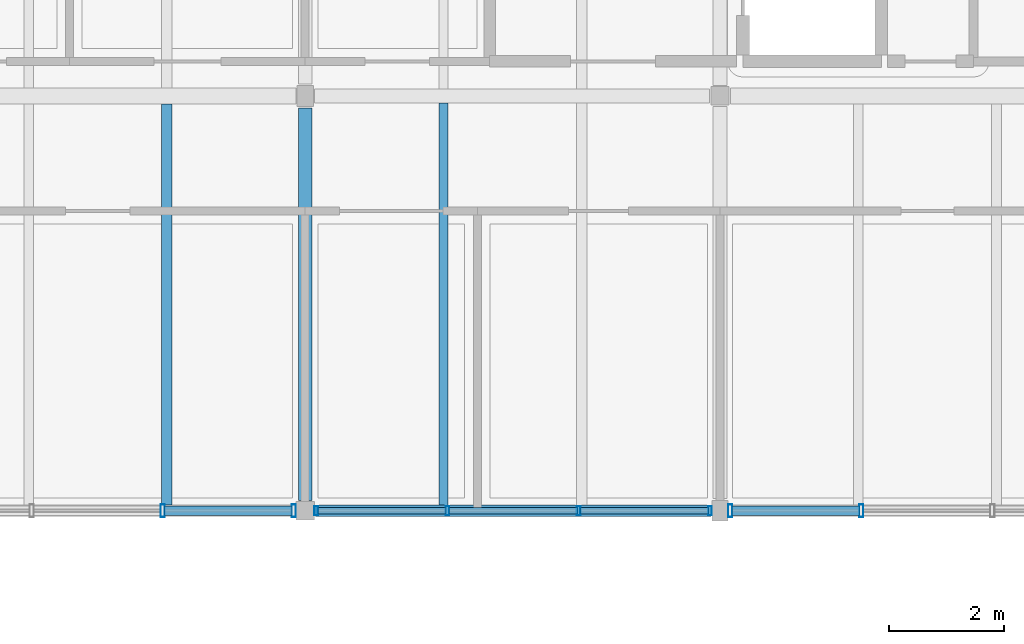
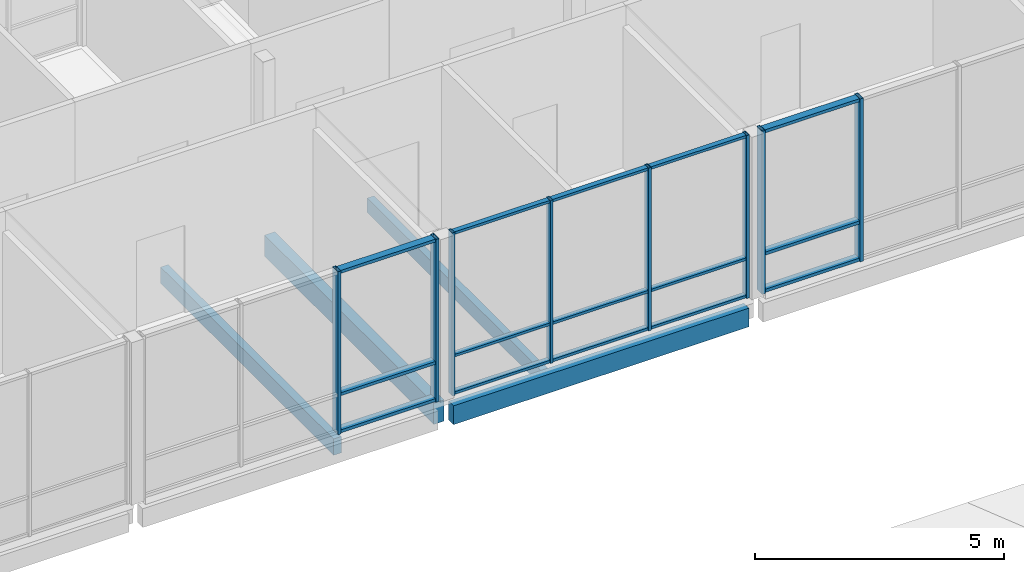
# One storey, part 24 of 115: 23 members, 4 beams, 3 elements without a shape of their own.
"""IFC4 building model written with IfcOpenShell, lengths in metres."""

from ifc_helpers import new_model, si_unit, direction, frame, origin, origin_2d, place, context, subcontext, project, spatial, rectangle, hollow_rectangle, extrude, material, material_profile, profile_set, type_object, element, aggregate, save


model = new_model("IFC4")

# Units and contexts
model_context = context("Model", 3, precision=1e-05, world=origin(), true_north=direction((0.0, 1.0)))
body_context = subcontext(model_context, "Body", "Model", "MODEL_VIEW")
ifc_project = project(units=[si_unit("LENGTHUNIT", "METRE"), si_unit("AREAUNIT", "SQUARE_METRE"), si_unit("VOLUMEUNIT", "CUBIC_METRE"), si_unit("PLANEANGLEUNIT", "RADIAN"), si_unit("MASSUNIT", "GRAM", prefix="KILO")], contexts=[model_context])

# Site, building, storey
site_placement = place(None, origin())
site = spatial("IfcSite", under=ifc_project, at=site_placement, CompositionType="ELEMENT")
building_placement = place(site_placement, origin())
building = spatial("IfcBuilding", under=site, at=building_placement, Name="Hawrajan Terrace Health Centre", CompositionType="ELEMENT")
storey_placement = place(building_placement, frame((0.0, 0.0, 9.0)))
storey = spatial("IfcBuildingStorey", under=building, at=storey_placement, Name="L02", CompositionType="ELEMENT", Elevation=9.0)

# Curtain wall, members
ifc_material_1 = material(Name="Anodized bronze aluminium and low-E solar glazing", Category="aluminium")
curtain_wall_type_1 = type_object("IfcCurtainWallType", Name="CW_CourtNS_SeriesC3", PredefinedType="USERDEFINED", material=ifc_material_1)
curtain_wall_1_placement = place(storey_placement, origin())
curtain_wall_1 = element("IfcCurtainWall", 1, at=curtain_wall_1_placement, inside=storey, type_object=curtain_wall_type_1, Name="Curtain wall CW-L02-129", ObjectType="UNITISED CURTAIN WALL", PredefinedType="USERDEFINED")
ifc_material_2 = material(Name="Anodized bronze aluminium 6063-T6", Category="aluminium")
ifc_material_profile_1 = material_profile(ifc_material_2, hollow_rectangle(XDim=0.06494140625, YDim=0.159912109375, WallThickness=0.00390625, at=origin_2d()), Name="CW MUL 65x160")
ifc_profile_set_1 = profile_set([ifc_material_profile_1], Name="Anodized bronze aluminium 6063-T6")
member_type_1 = type_object("IfcMemberType", Name="CWMullion_65x160", PredefinedType="MULLION", material=ifc_profile_set_1)
member_1_placement = place(storey_placement, frame((40.79248046875, 45.39990234375, -0.0048828125), z_axis=(0.0, 0.0, 1.0), x_axis=(1.0, 0.0, 0.0)))
member_1 = element("IfcMember", 2, at=member_1_placement, type_object=member_type_1, Name="Mullion CW-L02-129-M1", PredefinedType="MULLION", context=body_context, shape_type="SweptSolid", body=[
    extrude(hollow_rectangle(XDim=0.06494140625, YDim=0.159912109375, WallThickness=0.00390625, at=origin_2d()), origin(), (0.0, 0.0, 1.0), 4.0),
])
member_2_placement = place(storey_placement, frame((43.07080078125, 45.39990234375, -0.0048828125), z_axis=(0.0, 0.0, 1.0), x_axis=(1.0, 0.0, 0.0)))
member_2 = element("IfcMember", 3, at=member_2_placement, type_object=member_type_1, Name="Mullion CW-L02-129-M2", PredefinedType="MULLION", context=body_context, shape_type="SweptSolid", body=[
    extrude(hollow_rectangle(XDim=0.06494140625, YDim=0.159912109375, WallThickness=0.00390625, at=origin_2d()), origin(), (0.0, 0.0, 1.0), 4.0),
])
member_3_placement = place(storey_placement, frame((45.34912109375, 45.39990234375, -0.0048828125), z_axis=(0.0, 0.0, 1.0), x_axis=(1.0, 0.0, 0.0)))
member_3 = element("IfcMember", 4, at=member_3_placement, type_object=member_type_1, Name="Mullion CW-L02-129-M3", PredefinedType="MULLION", context=body_context, shape_type="SweptSolid", body=[
    extrude(hollow_rectangle(XDim=0.06494140625, YDim=0.159912109375, WallThickness=0.00390625, at=origin_2d()), origin(), (0.0, 0.0, 1.0), 4.0),
])
member_4_placement = place(storey_placement, frame((47.62744140625, 45.39990234375, -0.0048828125), z_axis=(0.0, 0.0, 1.0), x_axis=(1.0, 0.0, 0.0)))
member_4 = element("IfcMember", 5, at=member_4_placement, type_object=member_type_1, Name="Mullion CW-L02-129-M4", PredefinedType="MULLION", context=body_context, shape_type="SweptSolid", body=[
    extrude(hollow_rectangle(XDim=0.06494140625, YDim=0.159912109375, WallThickness=0.00390625, at=origin_2d()), origin(), (0.0, 0.0, 1.0), 4.0),
])

curtain_wall_type_2 = type_object("IfcCurtainWallType", Name="CW_Court_SeriesB2", PredefinedType="USERDEFINED", material=ifc_material_1)
curtain_wall_2_placement = place(storey_placement, origin())
curtain_wall_2 = element("IfcCurtainWall", 6, at=curtain_wall_2_placement, inside=storey, type_object=curtain_wall_type_2, Name="Curtain wall CW-L02-125", ObjectType="UNITISED CURTAIN WALL", PredefinedType="USERDEFINED")
ifc_material_profile_2 = material_profile(ifc_material_2, hollow_rectangle(XDim=0.074951171875, YDim=0.219970703125, WallThickness=0.0048828125, at=origin_2d()), Name="CW MUL 75x220")
ifc_profile_set_2 = profile_set([ifc_material_profile_2], Name="Anodized bronze aluminium 6063-T6")
member_type_2 = type_object("IfcMemberType", Name="CWMullion_75x220", PredefinedType="MULLION", material=ifc_profile_set_2)
member_5_placement = place(storey_placement, frame((38.12744140625, 45.39990234375, -0.0048828125), z_axis=(0.0, 0.0, 1.0), x_axis=(1.0, 0.0, 0.0)))
member_5 = element("IfcMember", 7, at=member_5_placement, type_object=member_type_2, Name="Mullion CW-L02-125-M3", PredefinedType="MULLION", context=body_context, shape_type="SweptSolid", body=[
    extrude(hollow_rectangle(XDim=0.074951171875, YDim=0.219970703125, WallThickness=0.0048828125, at=origin_2d()), origin(), (0.0, 0.0, 1.0), 4.0),
])
member_6_placement = place(storey_placement, frame((40.402587890625, 45.39990234375, -0.0048828125), z_axis=(0.0, 0.0, 1.0), x_axis=(1.0, 0.0, 0.0)))
member_6 = element("IfcMember", 8, at=member_6_placement, type_object=member_type_2, Name="Mullion CW-L02-125-M4", PredefinedType="MULLION", context=body_context, shape_type="SweptSolid", body=[
    extrude(hollow_rectangle(XDim=0.074951171875, YDim=0.219970703125, WallThickness=0.0048828125, at=origin_2d()), origin(), (0.0, 0.0, 1.0), 4.0),
])

curtain_wall_type_3 = type_object("IfcCurtainWallType", Name="CW_Hall_SeriesD2", PredefinedType="USERDEFINED", material=ifc_material_1)
curtain_wall_3_placement = place(storey_placement, origin())
curtain_wall_3 = element("IfcCurtainWall", 9, at=curtain_wall_3_placement, inside=storey, type_object=curtain_wall_type_3, Name="Curtain wall CW-L02-131", ObjectType="UNITISED CURTAIN WALL", PredefinedType="USERDEFINED")
member_7_placement = place(storey_placement, frame((47.9775390625, 45.39990234375, -0.0048828125), z_axis=(0.0, 0.0, 1.0), x_axis=(1.0, 0.0, 0.0)))
member_7 = element("IfcMember", 10, at=member_7_placement, type_object=member_type_2, Name="Mullion CW-L02-131-M1", PredefinedType="MULLION", context=body_context, shape_type="SweptSolid", body=[
    extrude(hollow_rectangle(XDim=0.074951171875, YDim=0.219970703125, WallThickness=0.0048828125, at=origin_2d()), origin(), (0.0, 0.0, 1.0), 4.0),
])
member_8_placement = place(storey_placement, frame((50.25244140625, 45.39990234375, -0.0048828125), z_axis=(0.0, 0.0, 1.0), x_axis=(1.0, 0.0, 0.0)))
member_8 = element("IfcMember", 11, at=member_8_placement, type_object=member_type_2, Name="Mullion CW-L02-131-M2", PredefinedType="MULLION", context=body_context, shape_type="SweptSolid", body=[
    extrude(hollow_rectangle(XDim=0.074951171875, YDim=0.219970703125, WallThickness=0.0048828125, at=origin_2d()), origin(), (0.0, 0.0, 1.0), 4.0),
])

# Member
ifc_material_profile_3 = material_profile(ifc_material_2, hollow_rectangle(XDim=0.06494140625, YDim=0.1201171875, WallThickness=0.00341796875, at=origin_2d()), Name="CW TRN 65x120")
ifc_profile_set_3 = profile_set([ifc_material_profile_3], Name="Anodized bronze aluminium 6063-T6")
member_type_3 = type_object("IfcMemberType", Name="CWTransom_65x120", PredefinedType="USERDEFINED", material=ifc_profile_set_3)
member_9_placement = place(storey_placement, frame((40.819091796875, 45.39990234375, 0.032470703125), z_axis=(1.0, 0.0, 0.0), x_axis=(0.0, 0.0, 1.0)))
member_9 = element("IfcMember", 12, at=member_9_placement, type_object=member_type_3, Name="Transom CW-L02-129-T1-1", ObjectType="TRANSOM", PredefinedType="USERDEFINED", context=body_context, shape_type="SweptSolid", body=[
    extrude(hollow_rectangle(XDim=0.06494140625, YDim=0.1201171875, WallThickness=0.00341796875, at=origin_2d()), origin(), (0.0, 0.0, 1.0), 2.22509765625),
])

member_10_placement = place(storey_placement, frame((40.819091796875, 45.39990234375, 0.949951171875), z_axis=(1.0, 0.0, 0.0), x_axis=(0.0, 0.0, 1.0)))
member_10 = element("IfcMember", 13, at=member_10_placement, type_object=member_type_3, Name="Transom CW-L02-129-T1-2", ObjectType="TRANSOM", PredefinedType="USERDEFINED", context=body_context, shape_type="SweptSolid", body=[
    extrude(hollow_rectangle(XDim=0.06494140625, YDim=0.1201171875, WallThickness=0.00341796875, at=origin_2d()), origin(), (0.0, 0.0, 1.0), 2.22509765625),
])

member_11_placement = place(storey_placement, frame((40.819091796875, 45.39990234375, 3.95751953125), z_axis=(1.0, 0.0, 0.0), x_axis=(0.0, 0.0, 1.0)))
member_11 = element("IfcMember", 14, at=member_11_placement, type_object=member_type_3, Name="Transom CW-L02-129-T1-3", ObjectType="TRANSOM", PredefinedType="USERDEFINED", context=body_context, shape_type="SweptSolid", body=[
    extrude(hollow_rectangle(XDim=0.06494140625, YDim=0.1201171875, WallThickness=0.00341796875, at=origin_2d()), origin(), (0.0, 0.0, 1.0), 2.22509765625),
])

member_12_placement = place(storey_placement, frame((43.097412109375, 45.39990234375, 0.032470703125), z_axis=(1.0, 0.0, 0.0), x_axis=(0.0, 0.0, 1.0)))
member_12 = element("IfcMember", 15, at=member_12_placement, type_object=member_type_3, Name="Transom CW-L02-129-T2-1", ObjectType="TRANSOM", PredefinedType="USERDEFINED", context=body_context, shape_type="SweptSolid", body=[
    extrude(hollow_rectangle(XDim=0.06494140625, YDim=0.1201171875, WallThickness=0.00341796875, at=origin_2d()), origin(), (0.0, 0.0, 1.0), 2.225341796875),
])

member_13_placement = place(storey_placement, frame((43.097412109375, 45.39990234375, 0.949951171875), z_axis=(1.0, 0.0, 0.0), x_axis=(0.0, 0.0, 1.0)))
member_13 = element("IfcMember", 16, at=member_13_placement, type_object=member_type_3, Name="Transom CW-L02-129-T2-2", ObjectType="TRANSOM", PredefinedType="USERDEFINED", context=body_context, shape_type="SweptSolid", body=[
    extrude(hollow_rectangle(XDim=0.06494140625, YDim=0.1201171875, WallThickness=0.00341796875, at=origin_2d()), origin(), (0.0, 0.0, 1.0), 2.225341796875),
])

member_14_placement = place(storey_placement, frame((43.097412109375, 45.39990234375, 3.95751953125), z_axis=(1.0, 0.0, 0.0), x_axis=(0.0, 0.0, 1.0)))
member_14 = element("IfcMember", 17, at=member_14_placement, type_object=member_type_3, Name="Transom CW-L02-129-T2-3", ObjectType="TRANSOM", PredefinedType="USERDEFINED", context=body_context, shape_type="SweptSolid", body=[
    extrude(hollow_rectangle(XDim=0.06494140625, YDim=0.1201171875, WallThickness=0.00341796875, at=origin_2d()), origin(), (0.0, 0.0, 1.0), 2.225341796875),
])

member_15_placement = place(storey_placement, frame((45.375732421875, 45.39990234375, 0.032470703125), z_axis=(1.0, 0.0, 0.0), x_axis=(0.0, 0.0, 1.0)))
member_15 = element("IfcMember", 18, at=member_15_placement, type_object=member_type_3, Name="Transom CW-L02-129-T3-1", ObjectType="TRANSOM", PredefinedType="USERDEFINED", context=body_context, shape_type="SweptSolid", body=[
    extrude(hollow_rectangle(XDim=0.06494140625, YDim=0.1201171875, WallThickness=0.00341796875, at=origin_2d()), origin(), (0.0, 0.0, 1.0), 2.225341796875),
])

member_16_placement = place(storey_placement, frame((45.375732421875, 45.39990234375, 0.949951171875), z_axis=(1.0, 0.0, 0.0), x_axis=(0.0, 0.0, 1.0)))
member_16 = element("IfcMember", 19, at=member_16_placement, type_object=member_type_3, Name="Transom CW-L02-129-T3-2", ObjectType="TRANSOM", PredefinedType="USERDEFINED", context=body_context, shape_type="SweptSolid", body=[
    extrude(hollow_rectangle(XDim=0.06494140625, YDim=0.1201171875, WallThickness=0.00341796875, at=origin_2d()), origin(), (0.0, 0.0, 1.0), 2.225341796875),
])

member_17_placement = place(storey_placement, frame((45.375732421875, 45.39990234375, 3.95751953125), z_axis=(1.0, 0.0, 0.0), x_axis=(0.0, 0.0, 1.0)))
member_17 = element("IfcMember", 20, at=member_17_placement, type_object=member_type_3, Name="Transom CW-L02-129-T3-3", ObjectType="TRANSOM", PredefinedType="USERDEFINED", context=body_context, shape_type="SweptSolid", body=[
    extrude(hollow_rectangle(XDim=0.06494140625, YDim=0.1201171875, WallThickness=0.00341796875, at=origin_2d()), origin(), (0.0, 0.0, 1.0), 2.225341796875),
])

aggregate(curtain_wall_1, [member_1, member_2, member_3, member_4, member_9, member_10, member_11, member_12, member_13, member_14, member_15, member_16, member_17])

ifc_material_profile_4 = material_profile(ifc_material_2, hollow_rectangle(XDim=0.074951171875, YDim=0.169921875, WallThickness=0.00439453125, at=origin_2d()), Name="CW TRN 75x170")
ifc_profile_set_4 = profile_set([ifc_material_profile_4], Name="Anodized bronze aluminium 6063-T6")
member_type_4 = type_object("IfcMemberType", Name="CWTransom_75x170", PredefinedType="USERDEFINED", material=ifc_profile_set_4)
member_18_placement = place(storey_placement, frame((38.158935546875, 45.39990234375, 0.03759765625), z_axis=(1.0, 0.0, 0.0), x_axis=(0.0, 0.0, 1.0)))
member_18 = element("IfcMember", 21, at=member_18_placement, type_object=member_type_4, Name="Transom CW-L02-125-T3-1", ObjectType="TRANSOM", PredefinedType="USERDEFINED", context=body_context, shape_type="SweptSolid", body=[
    extrude(hollow_rectangle(XDim=0.074951171875, YDim=0.169921875, WallThickness=0.00439453125, at=origin_2d()), origin(), (0.0, 0.0, 1.0), 2.212158203125),
])

member_19_placement = place(storey_placement, frame((38.158935546875, 45.39990234375, 0.949951171875), z_axis=(1.0, 0.0, 0.0), x_axis=(0.0, 0.0, 1.0)))
member_19 = element("IfcMember", 22, at=member_19_placement, type_object=member_type_4, Name="Transom CW-L02-125-T3-2", ObjectType="TRANSOM", PredefinedType="USERDEFINED", context=body_context, shape_type="SweptSolid", body=[
    extrude(hollow_rectangle(XDim=0.074951171875, YDim=0.169921875, WallThickness=0.00439453125, at=origin_2d()), origin(), (0.0, 0.0, 1.0), 2.212158203125),
])

member_20_placement = place(storey_placement, frame((38.158935546875, 45.39990234375, 3.952392578125), z_axis=(1.0, 0.0, 0.0), x_axis=(0.0, 0.0, 1.0)))
member_20 = element("IfcMember", 23, at=member_20_placement, type_object=member_type_4, Name="Transom CW-L02-125-T3-3", ObjectType="TRANSOM", PredefinedType="USERDEFINED", context=body_context, shape_type="SweptSolid", body=[
    extrude(hollow_rectangle(XDim=0.074951171875, YDim=0.169921875, WallThickness=0.00439453125, at=origin_2d()), origin(), (0.0, 0.0, 1.0), 2.212158203125),
])

aggregate(curtain_wall_2, [member_5, member_6, member_18, member_19, member_20])

member_21_placement = place(storey_placement, frame((48.009033203125, 45.39990234375, 0.03759765625), z_axis=(1.0, 0.0, 0.0), x_axis=(0.0, 0.0, 1.0)))
member_21 = element("IfcMember", 24, at=member_21_placement, type_object=member_type_4, Name="Transom CW-L02-131-T1-1", ObjectType="TRANSOM", PredefinedType="USERDEFINED", context=body_context, shape_type="SweptSolid", body=[
    extrude(hollow_rectangle(XDim=0.074951171875, YDim=0.169921875, WallThickness=0.00439453125, at=origin_2d()), origin(), (0.0, 0.0, 1.0), 2.2119140625),
])

member_22_placement = place(storey_placement, frame((48.009033203125, 45.39990234375, 0.949951171875), z_axis=(1.0, 0.0, 0.0), x_axis=(0.0, 0.0, 1.0)))
member_22 = element("IfcMember", 25, at=member_22_placement, type_object=member_type_4, Name="Transom CW-L02-131-T1-2", ObjectType="TRANSOM", PredefinedType="USERDEFINED", context=body_context, shape_type="SweptSolid", body=[
    extrude(hollow_rectangle(XDim=0.074951171875, YDim=0.169921875, WallThickness=0.00439453125, at=origin_2d()), origin(), (0.0, 0.0, 1.0), 2.2119140625),
])

member_23_placement = place(storey_placement, frame((48.009033203125, 45.39990234375, 3.952392578125), z_axis=(1.0, 0.0, 0.0), x_axis=(0.0, 0.0, 1.0)))
member_23 = element("IfcMember", 26, at=member_23_placement, type_object=member_type_4, Name="Transom CW-L02-131-T1-3", ObjectType="TRANSOM", PredefinedType="USERDEFINED", context=body_context, shape_type="SweptSolid", body=[
    extrude(hollow_rectangle(XDim=0.074951171875, YDim=0.169921875, WallThickness=0.00439453125, at=origin_2d()), origin(), (0.0, 0.0, 1.0), 2.2119140625),
])

aggregate(curtain_wall_3, [member_7, member_8, member_21, member_22, member_23])

# Beams
ifc_material_3 = material(Name="Glulam GL32h", Category="wood")
ifc_material_profile_5 = material_profile(ifc_material_3, rectangle(XDim=0.239990234375, YDim=0.52001953125, at=origin_2d()), Name="GL BM 240x520")
ifc_profile_set_5 = profile_set([ifc_material_profile_5], Name="Glulam GL32h")
beam_type_1 = type_object("IfcBeamType", Name="GlulamGirder_240x520", PredefinedType="BEAM", material=ifc_profile_set_5)
beam_1_placement = place(storey_placement, frame((40.60009765625, 45.580078125, -0.5), z_axis=(0.0, 1.0, 0.0), x_axis=(-1.0, 0.0, 0.0)))
element("IfcBeam", 27, at=beam_1_placement, inside=storey, type_object=beam_type_1, Name="Beam BM-Y-L02-W-X06-6", PredefinedType="BEAM", context=body_context, shape_type="SweptSolid", body=[
    extrude(rectangle(XDim=0.239990234375, YDim=0.52001953125, at=origin_2d()), origin(), (0.0, 0.0, 1.0), 6.809814453125),
])
ifc_material_4 = material(Name="Glulam GL28h", Category="wood")
ifc_material_profile_6 = material_profile(ifc_material_4, rectangle(XDim=0.159912109375, YDim=0.360107421875, at=origin_2d()), Name="GL JST 160x360")
ifc_profile_set_6 = profile_set([ifc_material_profile_6], Name="Glulam GL28h")
beam_type_2 = type_object("IfcBeamType", Name="GlulamJoist_160x360", PredefinedType="JOIST", material=ifc_profile_set_6)
beam_2_placement = place(storey_placement, frame((43.0, 45.5, -0.419921875), z_axis=(0.0, 1.0, 0.0), x_axis=(-1.0, 0.0, 0.0)))
element("IfcBeam", 28, at=beam_2_placement, inside=storey, type_object=beam_type_2, Name="Secondary joist JST-L02-W-06-6-1", PredefinedType="JOIST", context=body_context, shape_type="SweptSolid", body=[
    extrude(rectangle(XDim=0.159912109375, YDim=0.360107421875, at=origin_2d()), origin(), (0.0, 0.0, 1.0), 6.97998046875),
])
ifc_material_profile_7 = material_profile(ifc_material_4, rectangle(XDim=0.179931640625, YDim=0.39990234375, at=origin_2d()), Name="GL JST 180x400")
ifc_profile_set_7 = profile_set([ifc_material_profile_7], Name="Glulam GL28h")
beam_type_3 = type_object("IfcBeamType", Name="GlulamJoist_180x400", PredefinedType="JOIST", material=ifc_profile_set_7)
beam_3_placement = place(storey_placement, frame((38.199951171875, 45.5, -0.43994140625), z_axis=(0.0, 1.0, 0.0), x_axis=(-1.0, 0.0, 0.0)))
element("IfcBeam", 29, at=beam_3_placement, inside=storey, type_object=beam_type_3, Name="Secondary joist JST-L02-W-05-6-2", PredefinedType="JOIST", context=body_context, shape_type="SweptSolid", body=[
    extrude(rectangle(XDim=0.179931640625, YDim=0.39990234375, at=origin_2d()), origin(), (0.0, 0.0, 1.0), 6.9599609375),
])
ifc_material_profile_8 = material_profile(ifc_material_3, rectangle(XDim=0.199951171875, YDim=0.4599609375, at=origin_2d()), Name="GL SP 200x460")
ifc_profile_set_8 = profile_set([ifc_material_profile_8], Name="Glulam GL32h")
beam_type_4 = type_object("IfcBeamType", Name="GlulamSpandrel_200x460", PredefinedType="SPANDREL", material=ifc_profile_set_8)
beam_4_placement = place(storey_placement, frame((40.780029296875, 45.39990234375, -0.469970703125), z_axis=(1.0, 0.0, 0.0), x_axis=(0.0, 1.0, 0.0)))
element("IfcBeam", 30, at=beam_4_placement, inside=storey, type_object=beam_type_4, Name="Beam BM-X-L02-W-06-Y6", PredefinedType="SPANDREL", context=body_context, shape_type="SweptSolid", body=[
    extrude(rectangle(XDim=0.199951171875, YDim=0.4599609375, at=origin_2d()), origin(), (0.0, 0.0, 1.0), 6.85986328125),
])

save(model, "model.ifc")
